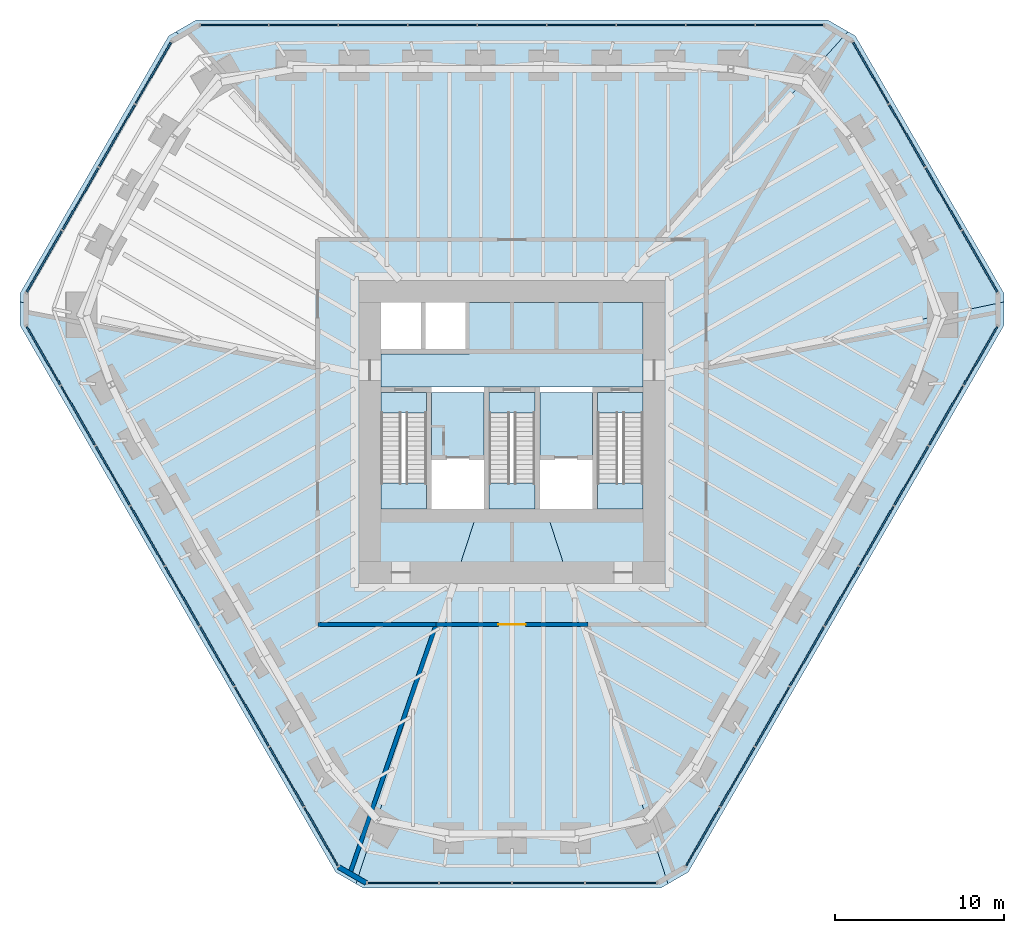
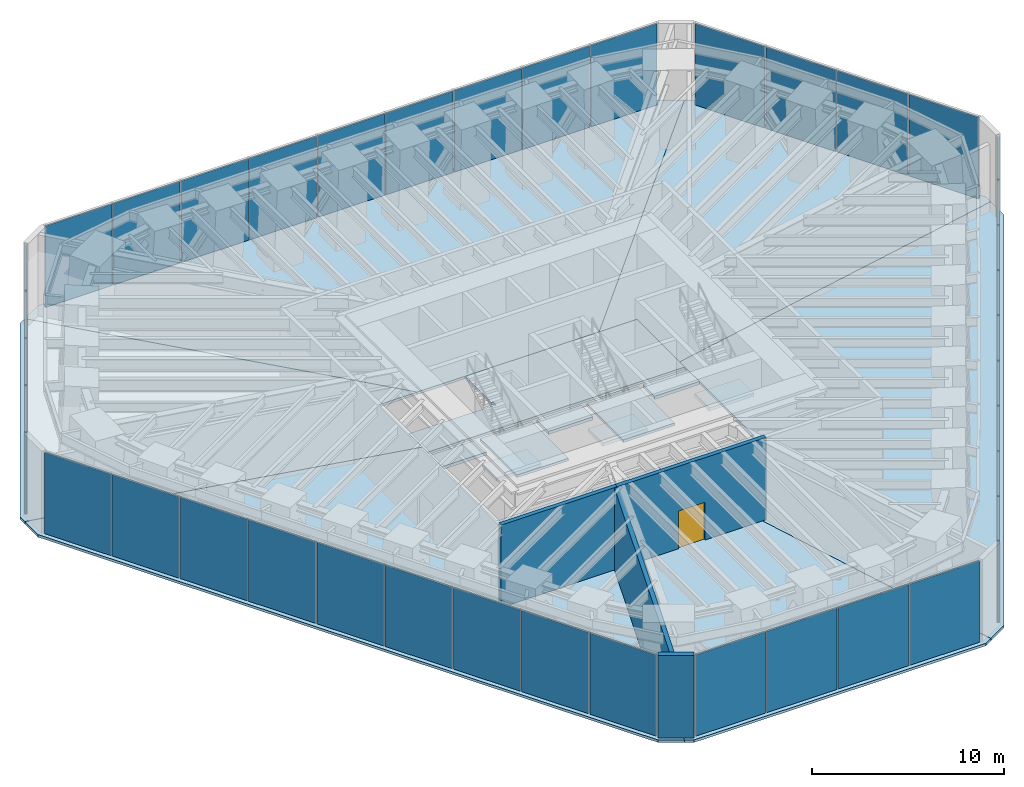
# One storey, part 9 of 12: 39 plates, 15 slabs, 4 walls, 1 door, 1 opening, 9 elements without a shape of their own.
"""IFC4 building model written with IfcOpenShell, lengths in metres."""

import ifcopenshell
import ifcopenshell.guid

model = None  # the IFC model being written
_history = None  # IfcOwnerHistory: only IFC2X3 demands one
_inside = {}  # id of a spatial element -> (the spatial element, [elements in it])
_under = {}  # id of a project, library or spatial element -> (it, [spatial elements below it])
_declared = {}  # id of a project -> (the project, [libraries it declares])
_typed = {}  # id of a type object -> (the type object, [elements of that type])
_made_of = {}  # id of a material, layer set ... -> (it, [elements and type objects made of it])


def new_model(schema):
    """Start an empty IFC model of exactly this schema.

    Asked for "IFC4X3", IfcOpenShell would pick the latest addendum, in which some entities
    have other attributes; the version numbers below select the first issue.
    IFC2X3 requires an IfcOwnerHistory on every rooted entity: one is made here for all.
    """
    global model, _history
    if schema == "IFC4X3":
        model = ifcopenshell.file(schema_version=(4, 3, 0, 0))
    else:
        model = ifcopenshell.file(schema=schema)
    _inside.clear()
    _under.clear()
    _declared.clear()
    _typed.clear()
    _made_of.clear()
    _history = None
    if model.schema == "IFC2X3":
        org = make("IfcOrganization", Name="unknown")
        user = make(
            "IfcPersonAndOrganization",
            ThePerson=make("IfcPerson", FamilyName="unknown"),
            TheOrganization=org,
        )
        app = make(
            "IfcApplication",
            ApplicationDeveloper=org,
            Version="unknown",
            ApplicationFullName="unknown",
            ApplicationIdentifier="unknown",
        )
        _history = make(
            "IfcOwnerHistory",
            OwningUser=user,
            OwningApplication=app,
            ChangeAction="ADDED",
            CreationDate=0,
        )
    return model


def make(cls, **values):
    """One entity of the class cls with the attributes given. An attribute that is None is left unset."""
    return model.create_entity(
        cls, **{name: value for name, value in values.items() if value is not None}
    )


def rooted(cls, **values):
    """An entity with a GlobalId (a new one), such as an element, a storey or a relation."""
    return make(cls, GlobalId=ifcopenshell.guid.new(), OwnerHistory=_history, **values)


def si_unit(unit_type, name, prefix=None):
    """IfcSIUnit, for example si_unit("LENGTHUNIT", "METRE", prefix="MILLI")."""
    return make("IfcSIUnit", UnitType=unit_type, Prefix=prefix, Name=name)


def assignment(units):
    """IfcUnitAssignment: the units of a project."""
    return None if units is None else make("IfcUnitAssignment", Units=units)


def point(xyz):
    """IfcCartesianPoint."""
    return None if xyz is None else make("IfcCartesianPoint", Coordinates=xyz)


def direction(xyz):
    """IfcDirection."""
    return None if xyz is None else make("IfcDirection", DirectionRatios=xyz)


def frame(location, z_axis=None, x_axis=None):
    """IfcAxis2Placement3D, a coordinate frame: its origin and axes. An axis left out is left unset."""
    return make(
        "IfcAxis2Placement3D",
        Location=point(location),
        Axis=direction(z_axis),
        RefDirection=direction(x_axis),
    )


def frame_2d(location, x_axis=None):
    """IfcAxis2Placement2D, a coordinate frame in the plane: its origin and x axis."""
    return make(
        "IfcAxis2Placement2D", Location=point(location), RefDirection=direction(x_axis)
    )


def origin():
    """The frame at (0, 0, 0) with its axes left unset."""
    return frame((0.0, 0.0, 0.0))


def origin_2d():
    """The frame at (0, 0) in the plane with its x axis left unset."""
    return frame_2d((0.0, 0.0))


def place(relative_to, where):
    """IfcLocalPlacement: puts the frame where relative to a parent placement (None: the world)."""
    return make(
        "IfcLocalPlacement", PlacementRelTo=relative_to, RelativePlacement=where
    )


def context(
    kind, dimensions, precision=None, world=None, true_north=None, identifier=None
):
    """IfcGeometricRepresentationContext, for example the 3D "Model" context."""
    return make(
        "IfcGeometricRepresentationContext",
        ContextIdentifier=identifier,
        ContextType=kind,
        CoordinateSpaceDimension=dimensions,
        Precision=precision,
        WorldCoordinateSystem=world,
        TrueNorth=true_north,
    )


def subcontext(parent, identifier, kind, view, scale=None):
    """IfcGeometricRepresentationSubContext, for example "Body" below "Model"."""
    return make(
        "IfcGeometricRepresentationSubContext",
        ContextIdentifier=identifier,
        ContextType=kind,
        ParentContext=parent,
        TargetScale=scale,
        TargetView=view,
    )


def project(units=None, contexts=None):
    """IfcProject with its units and contexts."""
    return rooted(
        "IfcProject",
        Name="project",
        RepresentationContexts=contexts,
        UnitsInContext=assignment(units),
    )


def spatial(cls, under=None, at=None, **own):
    """A site, building, storey or space (cls), placed at a placement, below another one or the project."""
    s = rooted(cls, ObjectPlacement=at, **own)
    if under is not None:
        _under.setdefault(under.id(), (under, []))[1].append(s)
    return s


def polyline(points):
    """IfcPolyline through the points."""
    return make("IfcPolyline", Points=[point(p) for p in points])


def profile(cls, at=None, kind="AREA", **sizes):
    """A parametric profile (cls). Its sizes go by their IFC names, for example OverallWidth=200.0."""
    return make(cls, ProfileType=kind, Position=at, **sizes)


def rectangle(**sizes):
    """IfcRectangleProfileDef."""
    return profile("IfcRectangleProfileDef", **sizes)


def outline(outer, holes=None, kind="AREA"):
    """IfcArbitraryClosedProfileDef: a profile drawn as a closed curve; with holes, ...WithVoids."""
    if holes is None:
        return make("IfcArbitraryClosedProfileDef", ProfileType=kind, OuterCurve=outer)
    return make(
        "IfcArbitraryProfileDefWithVoids",
        ProfileType=kind,
        OuterCurve=outer,
        InnerCurves=holes,
    )


def extrude(swept, where, along, depth):
    """IfcExtrudedAreaSolid: the profile swept, set in the frame where, extruded along a direction by depth."""
    return make(
        "IfcExtrudedAreaSolid",
        SweptArea=swept,
        Position=where,
        ExtrudedDirection=direction(along),
        Depth=depth,
    )


def shape(context_of_items, identifier, shape_type, items):
    """IfcShapeRepresentation: the items that make up one representation, for example the "Body"."""
    return make(
        "IfcShapeRepresentation",
        ContextOfItems=context_of_items,
        RepresentationIdentifier=identifier,
        RepresentationType=shape_type,
        Items=items,
    )


def material(Name=None, Category=None):
    """IfcMaterial."""
    return make("IfcMaterial", Name=Name, Category=Category)


def layer(
    of_material, thickness, ventilated=None, Name=None, Category=None, Priority=None
):
    """IfcMaterialLayer: one layer of a wall or slab, of a material (None: an air gap)."""
    return make(
        "IfcMaterialLayer",
        Material=of_material,
        LayerThickness=thickness,
        IsVentilated=ventilated,
        Name=Name,
        Category=Category,
        Priority=Priority,
    )


def layer_set(layers, Name=None):
    """IfcMaterialLayerSet."""
    return make("IfcMaterialLayerSet", MaterialLayers=layers, LayerSetName=Name)


def made_of(thing, what):
    """Note that an element or type object is made of a material, layer set ...; save() writes the relation."""
    if what is not None:
        _made_of.setdefault(what.id(), (what, []))[1].append(thing)
    return thing


def type_object(cls, material=None, **own):
    """A type object (cls), such as IfcWallType, which elements share."""
    return made_of(rooted(cls, **own), material)


def element(
    cls,
    number,
    at=None,
    inside=None,
    cuts=None,
    type_object=None,
    material=None,
    context=None,
    identifier="Body",
    shape_type=None,
    held_by="IfcProductDefinitionShape",
    body=None,
    shapes=None,
    **own,
):
    """One element of the class cls, such as IfcWall. Its Tag is "e" and its number.

    at: its placement. inside: the storey or other place that contains it. cuts: it is an
    opening in that element (IfcRelVoidsElement). A single representation is given by context,
    identifier, shape_type and body (its items); several are given by shapes. held_by: the class
    of the entity that holds the representations. save() writes the other relations.
    """
    e = rooted(cls, Tag="e%d" % number, ObjectPlacement=at, **own)
    if body is not None:
        shapes = [shape(context, identifier, shape_type, body)]
    if shapes is not None:
        e.Representation = make(held_by, Representations=shapes)
    if inside is not None:
        _inside.setdefault(inside.id(), (inside, []))[1].append(e)
    if cuts is not None:
        rooted(
            "IfcRelVoidsElement", RelatingBuildingElement=cuts, RelatedOpeningElement=e
        )
    if type_object is not None:
        _typed.setdefault(type_object.id(), (type_object, []))[1].append(e)
    return made_of(e, material)


def fill(opening, filler):
    """IfcRelFillsElement: the door or window that sits in an opening."""
    return rooted(
        "IfcRelFillsElement",
        RelatingOpeningElement=opening,
        RelatedBuildingElement=filler,
    )


def aggregate(whole, parts):
    """IfcRelAggregates: a whole, such as a stair, and the parts it consists of."""
    return rooted("IfcRelAggregates", RelatingObject=whole, RelatedObjects=parts)


def save(model, path):
    """Write the relations noted so far, then the file.

    IfcRelAggregates (storeys below a building ...), IfcRelContainedInSpatialStructure (elements
    in a storey), IfcRelDefinesByType, IfcRelAssociatesMaterial and IfcRelDeclares: one each for
    every whole, place, type object, material and project.
    """
    for whole, parts in _under.values():
        aggregate(whole, parts)
    for where, things in _inside.values():
        rooted(
            "IfcRelContainedInSpatialStructure",
            RelatedElements=things,
            RelatingStructure=where,
        )
    for kind, things in _typed.values():
        rooted("IfcRelDefinesByType", RelatedObjects=things, RelatingType=kind)
    for what, things in _made_of.values():
        rooted("IfcRelAssociatesMaterial", RelatedObjects=things, RelatingMaterial=what)
    for by, libraries in _declared.values():
        rooted("IfcRelDeclares", RelatingContext=by, RelatedDefinitions=libraries)
    model.write(path)


model = new_model("IFC4")

# Units and contexts
model_context = context("Model", 3, precision=1e-05, world=origin(), true_north=direction((0.0, 1.0)))
body_context = subcontext(model_context, "Body", "Model", "MODEL_VIEW")
ifc_project = project(units=[si_unit("LENGTHUNIT", "METRE"), si_unit("AREAUNIT", "SQUARE_METRE"), si_unit("VOLUMEUNIT", "CUBIC_METRE"), si_unit("PLANEANGLEUNIT", "RADIAN"), si_unit("MASSUNIT", "GRAM", prefix="KILO")], contexts=[model_context])

# Site, building, storey
site_placement = place(None, origin())
site = spatial("IfcSite", under=ifc_project, at=site_placement, CompositionType="ELEMENT")
building_placement = place(site_placement, origin())
building = spatial("IfcBuilding", under=site, at=building_placement, Name="Sandreach Pilgrim Tower", CompositionType="ELEMENT")
storey_placement = place(building_placement, frame((0.0, 0.0, 172.800048828125)))
storey = spatial("IfcBuildingStorey", under=building, at=storey_placement, Name="L43", CompositionType="ELEMENT", Elevation=172.800048828125)

# Curtain wall, plates
ifc_material_1 = material(Name="Aluminium framed curtain wall", Category="aluminium")
curtain_wall_type = type_object("IfcCurtainWallType", Name="Plant storey louvred curtain wall", PredefinedType="NOTDEFINED", material=ifc_material_1)
curtain_wall_1_placement = place(storey_placement, origin())
curtain_wall_1 = element("IfcCurtainWall", 1, at=curtain_wall_1_placement, inside=storey, type_object=curtain_wall_type, Name="CW-L L43 N", PredefinedType="NOTDEFINED")
ifc_material_2 = material(Name="Aluminium weather louvre blades 100 deep", Category="aluminium")
ifc_layer_1 = layer(ifc_material_2, 0.10009765625)
ifc_layer_set_1 = layer_set([ifc_layer_1], Name="CW-L panel")
plate_type = type_object("IfcPlateType", Name="CW-L panel", PredefinedType="CURTAIN_PANEL", material=ifc_layer_set_1)
plate_1_placement = place(storey_placement, frame((-16.407958984375, 22.493896484375, 0.0), z_axis=(0.0, 0.0, 1.0), x_axis=(1.0, 0.0, 0.0)))
plate_1 = element("IfcPlate", 2, at=plate_1_placement, type_object=plate_type, Name="CW-L panel 1", PredefinedType="CURTAIN_PANEL", context=body_context, shape_type="SweptSolid", body=[
    extrude(rectangle(XDim=3.987060546875, YDim=0.10009765625, at=origin_2d()), origin(), (0.0, 0.0, 1.0), 5.169921875),
])
plate_2_placement = place(storey_placement, frame((-12.32080078125, 22.493896484375, 0.0), z_axis=(0.0, 0.0, 1.0), x_axis=(1.0, 0.0, 0.0)))
plate_2 = element("IfcPlate", 3, at=plate_2_placement, type_object=plate_type, Name="CW-L panel 2", PredefinedType="CURTAIN_PANEL", context=body_context, shape_type="SweptSolid", body=[
    extrude(rectangle(XDim=4.02685546875, YDim=0.10009765625, at=origin_2d()), origin(), (0.0, 0.0, 1.0), 5.169921875),
])
plate_3_placement = place(storey_placement, frame((-8.2138671875, 22.493896484375, 0.0), z_axis=(0.0, 0.0, 1.0), x_axis=(1.0, 0.0, 0.0)))
plate_3 = element("IfcPlate", 4, at=plate_3_placement, type_object=plate_type, Name="CW-L panel 3", PredefinedType="CURTAIN_PANEL", context=body_context, shape_type="SweptSolid", body=[
    extrude(rectangle(XDim=4.02685546875, YDim=0.10009765625, at=origin_2d()), origin(), (0.0, 0.0, 1.0), 5.169921875),
])
plate_4_placement = place(storey_placement, frame((-4.10693359375, 22.493896484375, 0.0), z_axis=(0.0, 0.0, 1.0), x_axis=(1.0, 0.0, 0.0)))
plate_4 = element("IfcPlate", 5, at=plate_4_placement, type_object=plate_type, Name="CW-L panel 4", PredefinedType="CURTAIN_PANEL", context=body_context, shape_type="SweptSolid", body=[
    extrude(rectangle(XDim=4.02685546875, YDim=0.10009765625, at=origin_2d()), origin(), (0.0, 0.0, 1.0), 5.169921875),
])
plate_5_placement = place(storey_placement, frame((0.0, 22.493896484375, 0.0), z_axis=(0.0, 0.0, 1.0), x_axis=(1.0, 0.0, 0.0)))
plate_5 = element("IfcPlate", 6, at=plate_5_placement, type_object=plate_type, Name="CW-L panel 5", PredefinedType="CURTAIN_PANEL", context=body_context, shape_type="SweptSolid", body=[
    extrude(rectangle(XDim=4.02685546875, YDim=0.10009765625, at=origin_2d()), origin(), (0.0, 0.0, 1.0), 5.169921875),
])
plate_6_placement = place(storey_placement, frame((4.10693359375, 22.493896484375, 0.0), z_axis=(0.0, 0.0, 1.0), x_axis=(1.0, 0.0, 0.0)))
plate_6 = element("IfcPlate", 7, at=plate_6_placement, type_object=plate_type, Name="CW-L panel 6", PredefinedType="CURTAIN_PANEL", context=body_context, shape_type="SweptSolid", body=[
    extrude(rectangle(XDim=4.02685546875, YDim=0.10009765625, at=origin_2d()), origin(), (0.0, 0.0, 1.0), 5.169921875),
])
plate_7_placement = place(storey_placement, frame((8.2138671875, 22.493896484375, 0.0), z_axis=(0.0, 0.0, 1.0), x_axis=(1.0, 0.0, 0.0)))
plate_7 = element("IfcPlate", 8, at=plate_7_placement, type_object=plate_type, Name="CW-L panel 7", PredefinedType="CURTAIN_PANEL", context=body_context, shape_type="SweptSolid", body=[
    extrude(rectangle(XDim=4.02685546875, YDim=0.10009765625, at=origin_2d()), origin(), (0.0, 0.0, 1.0), 5.169921875),
])
plate_8_placement = place(storey_placement, frame((12.32080078125, 22.493896484375, 0.0), z_axis=(0.0, 0.0, 1.0), x_axis=(1.0, 0.0, 0.0)))
plate_8 = element("IfcPlate", 9, at=plate_8_placement, type_object=plate_type, Name="CW-L panel 8", PredefinedType="CURTAIN_PANEL", context=body_context, shape_type="SweptSolid", body=[
    extrude(rectangle(XDim=4.02685546875, YDim=0.10009765625, at=origin_2d()), origin(), (0.0, 0.0, 1.0), 5.169921875),
])
plate_9_placement = place(storey_placement, frame((16.407958984375, 22.493896484375, 0.0), z_axis=(0.0, 0.0, 1.0), x_axis=(1.0, 0.0, 0.0)))
plate_9 = element("IfcPlate", 10, at=plate_9_placement, type_object=plate_type, Name="CW-L panel 9", PredefinedType="CURTAIN_PANEL", context=body_context, shape_type="SweptSolid", body=[
    extrude(rectangle(XDim=3.987060546875, YDim=0.10009765625, at=origin_2d()), origin(), (0.0, 0.0, 1.0), 5.169921875),
])
aggregate(curtain_wall_1, [plate_1, plate_2, plate_3, plate_4, plate_5, plate_6, plate_7, plate_8, plate_9])

curtain_wall_2_placement = place(storey_placement, origin())
curtain_wall_2 = element("IfcCurtainWall", 11, at=curtain_wall_2_placement, inside=storey, type_object=curtain_wall_type, Name="CW-L L43 NE", PredefinedType="NOTDEFINED")
plate_10_placement = place(storey_placement, frame((21.196044921875, 19.672119140625, 0.0), z_axis=(0.0, 0.0, 1.0), x_axis=(0.5, -0.866025403784, 0.0)))
plate_10 = element("IfcPlate", 12, at=plate_10_placement, type_object=plate_type, Name="CW-L panel 1", PredefinedType="CURTAIN_PANEL", context=body_context, shape_type="SweptSolid", body=[
    extrude(rectangle(XDim=4.185791015625, YDim=0.10009765625, at=origin_2d()), origin(), (0.0, 0.0, 1.0), 5.169921875),
])
plate_11_placement = place(storey_placement, frame((23.3388671875, 15.96044921875, 0.0), z_axis=(0.0, 0.0, 1.0), x_axis=(0.5, -0.866025403784, 0.0)))
plate_11 = element("IfcPlate", 13, at=plate_11_placement, type_object=plate_type, Name="CW-L panel 2", PredefinedType="CURTAIN_PANEL", context=body_context, shape_type="SweptSolid", body=[
    extrude(rectangle(XDim=4.2255859375, YDim=0.10009765625, at=origin_2d()), origin(), (0.0, 0.0, 1.0), 5.169921875),
])
plate_12_placement = place(storey_placement, frame((25.49169921875, 12.231689453125, 0.0), z_axis=(0.0, 0.0, 1.0), x_axis=(0.5, -0.866025403784, 0.0)))
plate_12 = element("IfcPlate", 14, at=plate_12_placement, type_object=plate_type, Name="CW-L panel 3", PredefinedType="CURTAIN_PANEL", context=body_context, shape_type="SweptSolid", body=[
    extrude(rectangle(XDim=4.2255859375, YDim=0.10009765625, at=origin_2d()), origin(), (0.0, 0.0, 1.0), 5.169921875),
])
plate_13_placement = place(storey_placement, frame((27.634521484375, 8.520263671875, 0.0), z_axis=(0.0, 0.0, 1.0), x_axis=(0.5, -0.866025403784, 0.0)))
plate_13 = element("IfcPlate", 15, at=plate_13_placement, type_object=plate_type, Name="CW-L panel 4", PredefinedType="CURTAIN_PANEL", context=body_context, shape_type="SweptSolid", body=[
    extrude(rectangle(XDim=4.185791015625, YDim=0.10009765625, at=origin_2d()), origin(), (0.0, 0.0, 1.0), 5.169921875),
])
aggregate(curtain_wall_2, [plate_10, plate_11, plate_12, plate_13])

curtain_wall_3_placement = place(storey_placement, origin())
curtain_wall_3 = element("IfcCurtainWall", 16, at=curtain_wall_3_placement, inside=storey, type_object=curtain_wall_type, Name="CW-L L43 SE", PredefinedType="NOTDEFINED")
plate_14_placement = place(storey_placement, frame((27.68408203125, 2.962646484375, 0.0), z_axis=(0.0, 0.0, 1.0), x_axis=(-0.5, -0.866025403784, 0.0)))
plate_14 = element("IfcPlate", 17, at=plate_14_placement, type_object=plate_type, Name="CW-L panel 1", PredefinedType="CURTAIN_PANEL", context=body_context, shape_type="SweptSolid", body=[
    extrude(rectangle(XDim=3.987060546875, YDim=0.10009765625, at=origin_2d()), origin(), (0.0, 0.0, 1.0), 5.169921875),
])
plate_15_placement = place(storey_placement, frame((25.640625, -0.57666015625, 0.0), z_axis=(0.0, 0.0, 1.0), x_axis=(-0.5, -0.866025403784, 0.0)))
plate_15 = element("IfcPlate", 18, at=plate_15_placement, type_object=plate_type, Name="CW-L panel 2", PredefinedType="CURTAIN_PANEL", context=body_context, shape_type="SweptSolid", body=[
    extrude(rectangle(XDim=4.02685546875, YDim=0.10009765625, at=origin_2d()), origin(), (0.0, 0.0, 1.0), 5.169921875),
])
plate_16_placement = place(storey_placement, frame((23.587158203125, -4.13330078125, 0.0), z_axis=(0.0, 0.0, 1.0), x_axis=(-0.5, -0.866025403784, 0.0)))
plate_16 = element("IfcPlate", 19, at=plate_16_placement, type_object=plate_type, Name="CW-L panel 3", PredefinedType="CURTAIN_PANEL", context=body_context, shape_type="SweptSolid", body=[
    extrude(rectangle(XDim=4.02685546875, YDim=0.10009765625, at=origin_2d()), origin(), (0.0, 0.0, 1.0), 5.169921875),
])
plate_17_placement = place(storey_placement, frame((21.53369140625, -7.690185546875, 0.0), z_axis=(0.0, 0.0, 1.0), x_axis=(-0.5, -0.866025403784, 0.0)))
plate_17 = element("IfcPlate", 20, at=plate_17_placement, type_object=plate_type, Name="CW-L panel 4", PredefinedType="CURTAIN_PANEL", context=body_context, shape_type="SweptSolid", body=[
    extrude(rectangle(XDim=4.02685546875, YDim=0.10009765625, at=origin_2d()), origin(), (0.0, 0.0, 1.0), 5.169921875),
])
plate_18_placement = place(storey_placement, frame((19.480224609375, -11.246826171875, 0.0), z_axis=(0.0, 0.0, 1.0), x_axis=(-0.5, -0.866025403784, 0.0)))
plate_18 = element("IfcPlate", 21, at=plate_18_placement, type_object=plate_type, Name="CW-L panel 5", PredefinedType="CURTAIN_PANEL", context=body_context, shape_type="SweptSolid", body=[
    extrude(rectangle(XDim=4.02685546875, YDim=0.10009765625, at=origin_2d()), origin(), (0.0, 0.0, 1.0), 5.169921875),
])
plate_19_placement = place(storey_placement, frame((17.4267578125, -14.8037109375, 0.0), z_axis=(0.0, 0.0, 1.0), x_axis=(-0.5, -0.866025403784, 0.0)))
plate_19 = element("IfcPlate", 22, at=plate_19_placement, type_object=plate_type, Name="CW-L panel 6", PredefinedType="CURTAIN_PANEL", context=body_context, shape_type="SweptSolid", body=[
    extrude(rectangle(XDim=4.02685546875, YDim=0.10009765625, at=origin_2d()), origin(), (0.0, 0.0, 1.0), 5.169921875),
])
plate_20_placement = place(storey_placement, frame((15.373291015625, -18.3603515625, 0.0), z_axis=(0.0, 0.0, 1.0), x_axis=(-0.5, -0.866025403784, 0.0)))
plate_20 = element("IfcPlate", 23, at=plate_20_placement, type_object=plate_type, Name="CW-L panel 7", PredefinedType="CURTAIN_PANEL", context=body_context, shape_type="SweptSolid", body=[
    extrude(rectangle(XDim=4.02685546875, YDim=0.10009765625, at=origin_2d()), origin(), (0.0, 0.0, 1.0), 5.169921875),
])
plate_21_placement = place(storey_placement, frame((13.31982421875, -21.917236328125, 0.0), z_axis=(0.0, 0.0, 1.0), x_axis=(-0.5, -0.866025403784, 0.0)))
plate_21 = element("IfcPlate", 24, at=plate_21_placement, type_object=plate_type, Name="CW-L panel 8", PredefinedType="CURTAIN_PANEL", context=body_context, shape_type="SweptSolid", body=[
    extrude(rectangle(XDim=4.02685546875, YDim=0.10009765625, at=origin_2d()), origin(), (0.0, 0.0, 1.0), 5.169921875),
])
plate_22_placement = place(storey_placement, frame((11.2763671875, -25.45654296875, 0.0), z_axis=(0.0, 0.0, 1.0), x_axis=(-0.5, -0.866025403784, 0.0)))
plate_22 = element("IfcPlate", 25, at=plate_22_placement, type_object=plate_type, Name="CW-L panel 9", PredefinedType="CURTAIN_PANEL", context=body_context, shape_type="SweptSolid", body=[
    extrude(rectangle(XDim=3.987060546875, YDim=0.10009765625, at=origin_2d()), origin(), (0.0, 0.0, 1.0), 5.169921875),
])
aggregate(curtain_wall_3, [plate_14, plate_15, plate_16, plate_17, plate_18, plate_19, plate_20, plate_21, plate_22])

curtain_wall_4_placement = place(storey_placement, origin())
curtain_wall_4 = element("IfcCurtainWall", 26, at=curtain_wall_4_placement, inside=storey, type_object=curtain_wall_type, Name="CW-L L43 S", PredefinedType="NOTDEFINED")
plate_23_placement = place(storey_placement, frame((6.4384765625, -28.192138671875, 0.0), z_axis=(0.0, 0.0, 1.0), x_axis=(-1.0, 0.0, 0.0)))
plate_23 = element("IfcPlate", 27, at=plate_23_placement, type_object=plate_type, Name="CW-L panel 1", PredefinedType="CURTAIN_PANEL", context=body_context, shape_type="SweptSolid", body=[
    extrude(rectangle(XDim=4.185791015625, YDim=0.10009765625, at=origin_2d()), origin(), (0.0, 0.0, 1.0), 5.169921875),
])
plate_24_placement = place(storey_placement, frame((2.15283203125, -28.192138671875, 0.0), z_axis=(0.0, 0.0, 1.0), x_axis=(-1.0, 0.0, 0.0)))
plate_24 = element("IfcPlate", 28, at=plate_24_placement, type_object=plate_type, Name="CW-L panel 2", PredefinedType="CURTAIN_PANEL", context=body_context, shape_type="SweptSolid", body=[
    extrude(rectangle(XDim=4.2255859375, YDim=0.10009765625, at=origin_2d()), origin(), (0.0, 0.0, 1.0), 5.169921875),
])
plate_25_placement = place(storey_placement, frame((-2.15283203125, -28.192138671875, 0.0), z_axis=(0.0, 0.0, 1.0), x_axis=(-1.0, 0.0, 0.0)))
plate_25 = element("IfcPlate", 29, at=plate_25_placement, type_object=plate_type, Name="CW-L panel 3", PredefinedType="CURTAIN_PANEL", context=body_context, shape_type="SweptSolid", body=[
    extrude(rectangle(XDim=4.2255859375, YDim=0.10009765625, at=origin_2d()), origin(), (0.0, 0.0, 1.0), 5.169921875),
])
plate_26_placement = place(storey_placement, frame((-6.4384765625, -28.192138671875, 0.0), z_axis=(0.0, 0.0, 1.0), x_axis=(-1.0, 0.0, 0.0)))
plate_26 = element("IfcPlate", 30, at=plate_26_placement, type_object=plate_type, Name="CW-L panel 4", PredefinedType="CURTAIN_PANEL", context=body_context, shape_type="SweptSolid", body=[
    extrude(rectangle(XDim=4.185791015625, YDim=0.10009765625, at=origin_2d()), origin(), (0.0, 0.0, 1.0), 5.169921875),
])
aggregate(curtain_wall_4, [plate_23, plate_24, plate_25, plate_26])

curtain_wall_5_placement = place(storey_placement, origin())
curtain_wall_5 = element("IfcCurtainWall", 31, at=curtain_wall_5_placement, inside=storey, type_object=curtain_wall_type, Name="CW-L L43 SW", PredefinedType="NOTDEFINED")
plate_27_placement = place(storey_placement, frame((-11.2763671875, -25.45654296875, 0.0), z_axis=(0.0, 0.0, 1.0), x_axis=(-0.5, 0.866025403784, 0.0)))
plate_27 = element("IfcPlate", 32, at=plate_27_placement, type_object=plate_type, Name="CW-L panel 1", PredefinedType="CURTAIN_PANEL", context=body_context, shape_type="SweptSolid", body=[
    extrude(rectangle(XDim=3.987060546875, YDim=0.10009765625, at=origin_2d()), origin(), (0.0, 0.0, 1.0), 5.169921875),
])
plate_28_placement = place(storey_placement, frame((-13.31982421875, -21.917236328125, 0.0), z_axis=(0.0, 0.0, 1.0), x_axis=(-0.5, 0.866025403784, 0.0)))
plate_28 = element("IfcPlate", 33, at=plate_28_placement, type_object=plate_type, Name="CW-L panel 2", PredefinedType="CURTAIN_PANEL", context=body_context, shape_type="SweptSolid", body=[
    extrude(rectangle(XDim=4.02685546875, YDim=0.10009765625, at=origin_2d()), origin(), (0.0, 0.0, 1.0), 5.169921875),
])
plate_29_placement = place(storey_placement, frame((-15.373291015625, -18.3603515625, 0.0), z_axis=(0.0, 0.0, 1.0), x_axis=(-0.5, 0.866025403784, 0.0)))
plate_29 = element("IfcPlate", 34, at=plate_29_placement, type_object=plate_type, Name="CW-L panel 3", PredefinedType="CURTAIN_PANEL", context=body_context, shape_type="SweptSolid", body=[
    extrude(rectangle(XDim=4.02685546875, YDim=0.10009765625, at=origin_2d()), origin(), (0.0, 0.0, 1.0), 5.169921875),
])
plate_30_placement = place(storey_placement, frame((-17.4267578125, -14.8037109375, 0.0), z_axis=(0.0, 0.0, 1.0), x_axis=(-0.5, 0.866025403784, 0.0)))
plate_30 = element("IfcPlate", 35, at=plate_30_placement, type_object=plate_type, Name="CW-L panel 4", PredefinedType="CURTAIN_PANEL", context=body_context, shape_type="SweptSolid", body=[
    extrude(rectangle(XDim=4.02685546875, YDim=0.10009765625, at=origin_2d()), origin(), (0.0, 0.0, 1.0), 5.169921875),
])
plate_31_placement = place(storey_placement, frame((-19.480224609375, -11.246826171875, 0.0), z_axis=(0.0, 0.0, 1.0), x_axis=(-0.5, 0.866025403784, 0.0)))
plate_31 = element("IfcPlate", 36, at=plate_31_placement, type_object=plate_type, Name="CW-L panel 5", PredefinedType="CURTAIN_PANEL", context=body_context, shape_type="SweptSolid", body=[
    extrude(rectangle(XDim=4.02685546875, YDim=0.10009765625, at=origin_2d()), origin(), (0.0, 0.0, 1.0), 5.169921875),
])
plate_32_placement = place(storey_placement, frame((-21.53369140625, -7.690185546875, 0.0), z_axis=(0.0, 0.0, 1.0), x_axis=(-0.5, 0.866025403784, 0.0)))
plate_32 = element("IfcPlate", 37, at=plate_32_placement, type_object=plate_type, Name="CW-L panel 6", PredefinedType="CURTAIN_PANEL", context=body_context, shape_type="SweptSolid", body=[
    extrude(rectangle(XDim=4.02685546875, YDim=0.10009765625, at=origin_2d()), origin(), (0.0, 0.0, 1.0), 5.169921875),
])
plate_33_placement = place(storey_placement, frame((-23.587158203125, -4.13330078125, 0.0), z_axis=(0.0, 0.0, 1.0), x_axis=(-0.5, 0.866025403784, 0.0)))
plate_33 = element("IfcPlate", 38, at=plate_33_placement, type_object=plate_type, Name="CW-L panel 7", PredefinedType="CURTAIN_PANEL", context=body_context, shape_type="SweptSolid", body=[
    extrude(rectangle(XDim=4.02685546875, YDim=0.10009765625, at=origin_2d()), origin(), (0.0, 0.0, 1.0), 5.169921875),
])
plate_34_placement = place(storey_placement, frame((-25.640625, -0.57666015625, 0.0), z_axis=(0.0, 0.0, 1.0), x_axis=(-0.5, 0.866025403784, 0.0)))
plate_34 = element("IfcPlate", 39, at=plate_34_placement, type_object=plate_type, Name="CW-L panel 8", PredefinedType="CURTAIN_PANEL", context=body_context, shape_type="SweptSolid", body=[
    extrude(rectangle(XDim=4.02685546875, YDim=0.10009765625, at=origin_2d()), origin(), (0.0, 0.0, 1.0), 5.169921875),
])
plate_35_placement = place(storey_placement, frame((-27.68408203125, 2.962646484375, 0.0), z_axis=(0.0, 0.0, 1.0), x_axis=(-0.5, 0.866025403784, 0.0)))
plate_35 = element("IfcPlate", 40, at=plate_35_placement, type_object=plate_type, Name="CW-L panel 9", PredefinedType="CURTAIN_PANEL", context=body_context, shape_type="SweptSolid", body=[
    extrude(rectangle(XDim=3.987060546875, YDim=0.10009765625, at=origin_2d()), origin(), (0.0, 0.0, 1.0), 5.169921875),
])
aggregate(curtain_wall_5, [plate_27, plate_28, plate_29, plate_30, plate_31, plate_32, plate_33, plate_34, plate_35])

curtain_wall_6_placement = place(storey_placement, origin())
curtain_wall_6 = element("IfcCurtainWall", 41, at=curtain_wall_6_placement, inside=storey, type_object=curtain_wall_type, Name="CW-L L43 NW", PredefinedType="NOTDEFINED")
plate_36_placement = place(storey_placement, frame((-27.634521484375, 8.520263671875, 0.0), z_axis=(0.0, 0.0, 1.0), x_axis=(0.5, 0.866025403784, 0.0)))
plate_36 = element("IfcPlate", 42, at=plate_36_placement, type_object=plate_type, Name="CW-L panel 1", PredefinedType="CURTAIN_PANEL", context=body_context, shape_type="SweptSolid", body=[
    extrude(rectangle(XDim=4.185791015625, YDim=0.10009765625, at=origin_2d()), origin(), (0.0, 0.0, 1.0), 5.169921875),
])
plate_37_placement = place(storey_placement, frame((-25.49169921875, 12.231689453125, 0.0), z_axis=(0.0, 0.0, 1.0), x_axis=(0.5, 0.866025403784, 0.0)))
plate_37 = element("IfcPlate", 43, at=plate_37_placement, type_object=plate_type, Name="CW-L panel 2", PredefinedType="CURTAIN_PANEL", context=body_context, shape_type="SweptSolid", body=[
    extrude(rectangle(XDim=4.2255859375, YDim=0.10009765625, at=origin_2d()), origin(), (0.0, 0.0, 1.0), 5.169921875),
])
plate_38_placement = place(storey_placement, frame((-23.3388671875, 15.96044921875, 0.0), z_axis=(0.0, 0.0, 1.0), x_axis=(0.5, 0.866025403784, 0.0)))
plate_38 = element("IfcPlate", 44, at=plate_38_placement, type_object=plate_type, Name="CW-L panel 3", PredefinedType="CURTAIN_PANEL", context=body_context, shape_type="SweptSolid", body=[
    extrude(rectangle(XDim=4.2255859375, YDim=0.10009765625, at=origin_2d()), origin(), (0.0, 0.0, 1.0), 5.169921875),
])
plate_39_placement = place(storey_placement, frame((-21.196044921875, 19.672119140625, 0.0), z_axis=(0.0, 0.0, 1.0), x_axis=(0.5, 0.866025403784, 0.0)))
plate_39 = element("IfcPlate", 45, at=plate_39_placement, type_object=plate_type, Name="CW-L panel 4", PredefinedType="CURTAIN_PANEL", context=body_context, shape_type="SweptSolid", body=[
    extrude(rectangle(XDim=4.185791015625, YDim=0.10009765625, at=origin_2d()), origin(), (0.0, 0.0, 1.0), 5.169921875),
])
aggregate(curtain_wall_6, [plate_36, plate_37, plate_38, plate_39])

# Slabs
ifc_material_3 = material(Name="Concrete 8000 psi", Category="concrete")
ifc_layer_2 = layer(ifc_material_3, 0.159912109375)
ifc_layer_set_2 = layer_set([ifc_layer_2], Name="Composite floor slab 160")
slab_type_1 = type_object("IfcSlabType", Name="Composite floor slab 160", PredefinedType="FLOOR", material=ifc_layer_set_2)
slab_1_placement = place(storey_placement, frame((0.0, 0.0, -0.16015625)))
element("IfcSlab", 46, at=slab_1_placement, inside=storey, type_object=slab_type_1, Name="Floor slab L43 N sector", PredefinedType="FLOOR", context=body_context, shape_type="SweptSolid", body=[
    extrude(outline(polyline([(-18.654541015625, 22.793701171875), (18.654541015625, 22.793701171875), (19.848388671875, 22.1044921875), (5.477294921875, 6.10009765625), (-5.477294921875, 6.10009765625), (-19.848388671875, 22.1044921875), (-18.654541015625, 22.793701171875)])), origin(), (0.0, 0.0, 1.0), 0.16015625),
])
slab_2_placement = place(storey_placement, frame((0.0, 0.0, -0.16015625)))
element("IfcSlab", 47, at=slab_2_placement, inside=storey, type_object=slab_type_1, Name="Floor slab L43 NE sector", PredefinedType="FLOOR", context=body_context, shape_type="SweptSolid", body=[
    extrude(outline(polyline([(20.28271484375, 21.853759765625), (29.0673828125, 6.638427734375), (29.0673828125, 6.13720703125), (7.75, 1.63623046875), (7.75, 6.10009765625), (5.477294921875, 6.10009765625), (19.848388671875, 22.1044921875), (20.28271484375, 21.853759765625)])), origin(), (0.0, 0.0, 1.0), 0.16015625),
])
slab_3_placement = place(storey_placement, frame((0.0, 0.0, -0.16015625)))
element("IfcSlab", 48, at=slab_3_placement, inside=storey, type_object=slab_type_1, Name="Floor slab L43 SE sector", PredefinedType="FLOOR", context=body_context, shape_type="SweptSolid", body=[
    extrude(outline(polyline([(29.0673828125, 4.75830078125), (10.41259765625, -27.55224609375), (9.21875, -28.241455078125), (1.9912109375, -6.10009765625), (7.75, -6.10009765625), (7.75, 1.63623046875), (29.0673828125, 6.13720703125), (29.0673828125, 4.75830078125)])), origin(), (0.0, 0.0, 1.0), 0.16015625),
])
slab_4_placement = place(storey_placement, frame((0.0, 0.0, -0.16015625)))
element("IfcSlab", 49, at=slab_4_placement, inside=storey, type_object=slab_type_1, Name="Floor slab L43 S sector", PredefinedType="FLOOR", context=body_context, shape_type="SweptSolid", body=[
    extrude(outline(polyline([(8.78466796875, -28.4921875), (-8.78466796875, -28.4921875), (-9.21875, -28.241455078125), (-1.9912109375, -6.10009765625), (1.9912109375, -6.10009765625), (9.21875, -28.241455078125), (8.78466796875, -28.4921875)])), origin(), (0.0, 0.0, 1.0), 0.16015625),
])
slab_5_placement = place(storey_placement, frame((0.0, 0.0, -0.16015625)))
element("IfcSlab", 50, at=slab_5_placement, inside=storey, type_object=slab_type_1, Name="Floor slab L43 SW sector", PredefinedType="FLOOR", context=body_context, shape_type="SweptSolid", body=[
    extrude(outline(polyline([(-10.41259765625, -27.55224609375), (-29.0673828125, 4.75830078125), (-29.0673828125, 6.13720703125), (-7.75, 1.63623046875), (-7.75, -6.10009765625), (-1.9912109375, -6.10009765625), (-9.21875, -28.241455078125), (-10.41259765625, -27.55224609375)])), origin(), (0.0, 0.0, 1.0), 0.16015625),
])
slab_6_placement = place(storey_placement, frame((0.0, 0.0, -0.16015625)))
element("IfcSlab", 51, at=slab_6_placement, inside=storey, type_object=slab_type_1, Name="Floor slab L43 NW sector", PredefinedType="FLOOR", context=body_context, shape_type="SweptSolid", body=[
    extrude(outline(polyline([(-29.0673828125, 6.638427734375), (-20.28271484375, 21.853759765625), (-19.848388671875, 22.1044921875), (-5.477294921875, 6.10009765625), (-7.75, 6.10009765625), (-7.75, 1.63623046875), (-29.0673828125, 6.13720703125), (-29.0673828125, 6.638427734375)])), origin(), (0.0, 0.0, 1.0), 0.16015625),
])
slab_7_placement = place(storey_placement, frame((0.0, 0.0, -0.16015625)))
element("IfcSlab", 52, at=slab_7_placement, inside=storey, type_object=slab_type_1, Name="Core floor slab L43", PredefinedType="FLOOR", context=body_context, shape_type="SweptSolid", body=[
    extrude(outline(polyline([(-7.75, 3.050048828125), (-5.375, 3.050048828125), (-5.125, 3.050048828125), (-2.5, 3.050048828125), (-2.5, 3.35009765625), (-2.60009765625, 3.35009765625), (-2.60009765625, 6.10009765625), (7.75, 6.10009765625), (7.75, 1.10009765625), (5.050048828125, 1.10009765625), (4.75, 1.10009765625), (1.64990234375, 1.10009765625), (1.35009765625, 1.10009765625), (-1.35009765625, 1.10009765625), (-1.64990234375, 1.10009765625), (-4.75, 1.10009765625), (-5.050048828125, 1.10009765625), (-7.75, 1.10009765625), (-7.75, 3.050048828125)])), origin(), (0.0, 0.0, 1.0), 0.16015625),
])
slab_8_placement = place(storey_placement, frame((0.0, 0.0, -0.16015625)))
element("IfcSlab", 53, at=slab_8_placement, inside=storey, type_object=slab_type_1, Name="Core floor slab L43 2", PredefinedType="FLOOR", context=body_context, shape_type="SweptSolid", body=[
    extrude(outline(polyline([(-1.64990234375, -3.050048828125), (-4.75, -3.050048828125), (-4.75, 0.800048828125), (-1.64990234375, 0.800048828125), (-1.64990234375, -3.050048828125)])), origin(), (0.0, 0.0, 1.0), 0.16015625),
])
slab_9_placement = place(storey_placement, frame((0.0, 0.0, -0.16015625)))
element("IfcSlab", 54, at=slab_9_placement, inside=storey, type_object=slab_type_1, Name="Core floor slab L43 3", PredefinedType="FLOOR", context=body_context, shape_type="SweptSolid", body=[
    extrude(outline(polyline([(4.75, -3.050048828125), (1.64990234375, -3.050048828125), (1.64990234375, 0.800048828125), (4.75, 0.800048828125), (4.75, -3.050048828125)])), origin(), (0.0, 0.0, 1.0), 0.16015625),
])

# Stair, slabs
ifc_material_4 = material(Name="Concrete 8000 psi", Category="concrete")
stair_type = type_object("IfcStairType", Name="Core exit stair", PredefinedType="HALF_TURN_STAIR", material=ifc_material_4)
stair_1_placement = place(storey_placement, origin())
stair_1 = element("IfcStair", 55, at=stair_1_placement, inside=storey, type_object=stair_type, Name="Exit stair ST1 L43", PredefinedType="HALF_TURN_STAIR")
ifc_material_5 = material(Name="Concrete 8000 psi", Category="concrete")
ifc_layer_3 = layer(ifc_material_5, 0.199951171875)
ifc_layer_set_3 = layer_set([ifc_layer_3], Name="Core stair landing 200")
slab_type_2 = type_object("IfcSlabType", Name="Core stair landing 200", PredefinedType="LANDING", material=ifc_layer_set_3)
slab_10_placement = place(storey_placement, frame((0.0, 0.0, -0.199951171875)))
slab_10 = element("IfcSlab", 56, at=slab_10_placement, type_object=slab_type_2, Name="ST1 landing 1", PredefinedType="LANDING", context=body_context, shape_type="SweptSolid", body=[
    extrude(outline(polyline([(-7.75, -0.425048828125), (-5.050048828125, -0.425048828125), (-5.050048828125, 0.800048828125), (-7.75, 0.800048828125), (-7.75, -0.425048828125)])), origin(), (0.0, 0.0, 1.0), 0.199951171875),
])
slab_11_placement = place(storey_placement, frame((0.0, 0.0, 2.5)))
slab_11 = element("IfcSlab", 57, at=slab_11_placement, type_object=slab_type_2, Name="ST1 landing 2", PredefinedType="LANDING", context=body_context, shape_type="SweptSolid", body=[
    extrude(outline(polyline([(-7.75, -6.10009765625), (-5.050048828125, -6.10009765625), (-5.050048828125, -4.574951171875), (-7.75, -4.574951171875), (-7.75, -6.10009765625)])), origin(), (0.0, 0.0, 1.0), 0.199951171875),
])
aggregate(stair_1, [slab_10, slab_11])

stair_2_placement = place(storey_placement, origin())
stair_2 = element("IfcStair", 58, at=stair_2_placement, inside=storey, type_object=stair_type, Name="Exit stair ST3 L43", PredefinedType="HALF_TURN_STAIR")
slab_12_placement = place(storey_placement, frame((0.0, 0.0, -0.199951171875)))
slab_12 = element("IfcSlab", 59, at=slab_12_placement, type_object=slab_type_2, Name="ST3 landing 1", PredefinedType="LANDING", context=body_context, shape_type="SweptSolid", body=[
    extrude(outline(polyline([(-1.35009765625, -0.425048828125), (1.35009765625, -0.425048828125), (1.35009765625, 0.800048828125), (-1.35009765625, 0.800048828125), (-1.35009765625, -0.425048828125)])), origin(), (0.0, 0.0, 1.0), 0.199951171875),
])
slab_13_placement = place(storey_placement, frame((0.0, 0.0, 2.5)))
slab_13 = element("IfcSlab", 60, at=slab_13_placement, type_object=slab_type_2, Name="ST3 landing 2", PredefinedType="LANDING", context=body_context, shape_type="SweptSolid", body=[
    extrude(outline(polyline([(-1.35009765625, -6.10009765625), (1.35009765625, -6.10009765625), (1.35009765625, -4.574951171875), (-1.35009765625, -4.574951171875), (-1.35009765625, -6.10009765625)])), origin(), (0.0, 0.0, 1.0), 0.199951171875),
])
aggregate(stair_2, [slab_12, slab_13])

stair_3_placement = place(storey_placement, origin())
stair_3 = element("IfcStair", 61, at=stair_3_placement, inside=storey, type_object=stair_type, Name="Exit stair ST2 L43", PredefinedType="HALF_TURN_STAIR")
slab_14_placement = place(storey_placement, frame((0.0, 0.0, -0.199951171875)))
slab_14 = element("IfcSlab", 62, at=slab_14_placement, type_object=slab_type_2, Name="ST2 landing 1", PredefinedType="LANDING", context=body_context, shape_type="SweptSolid", body=[
    extrude(outline(polyline([(5.050048828125, -0.425048828125), (7.75, -0.425048828125), (7.75, 0.800048828125), (5.050048828125, 0.800048828125), (5.050048828125, -0.425048828125)])), origin(), (0.0, 0.0, 1.0), 0.199951171875),
])
slab_15_placement = place(storey_placement, frame((0.0, 0.0, 2.5)))
slab_15 = element("IfcSlab", 63, at=slab_15_placement, type_object=slab_type_2, Name="ST2 landing 2", PredefinedType="LANDING", context=body_context, shape_type="SweptSolid", body=[
    extrude(outline(polyline([(5.050048828125, -6.10009765625), (7.75, -6.10009765625), (7.75, -4.574951171875), (5.050048828125, -4.574951171875), (5.050048828125, -6.10009765625)])), origin(), (0.0, 0.0, 1.0), 0.199951171875),
])
aggregate(stair_3, [slab_14, slab_15])

# Walls
ifc_material_6 = material(Name="Acoustic gypsum board wall, double frame", Category="gypsum")
ifc_layer_4 = layer(ifc_material_6, 0.25)
ifc_layer_set_4 = layer_set([ifc_layer_4], Name="Hall partition 250")
wall_type_1 = type_object("IfcWallType", Name="Hall partition 250", PredefinedType="PARTITIONING", material=ifc_layer_set_4)
wall_1_placement = place(storey_placement, frame((-11.469970703125, -12.919921875, 0.0), z_axis=(0.0, 0.0, 1.0), x_axis=(1.0, 0.0, 0.0)))
element("IfcWall", 64, at=wall_1_placement, inside=storey, type_object=wall_type_1, Name="Hall partition L43-002", PredefinedType="PARTITIONING", context=body_context, shape_type="SweptSolid", body=[
    extrude(rectangle(XDim=6.989990234375, YDim=0.25, at=frame_2d((3.4951171875, 0.0))), origin(), (0.0, 0.0, 1.0), 5.239990234375),
])
wall_2_placement = place(storey_placement, frame((-9.580078125, -27.651611328125, 0.0), z_axis=(0.0, 0.0, 1.0), x_axis=(0.327148752999, 0.944972853267, 0.0)))
element("IfcWall", 65, at=wall_2_placement, inside=storey, type_object=wall_type_1, Name="Hall partition L43-005", PredefinedType="PARTITIONING", context=body_context, shape_type="SweptSolid", body=[
    extrude(rectangle(XDim=15.589599609375, YDim=0.25, at=frame_2d((7.794921875, 0.0))), origin(), (0.0, 0.0, 1.0), 5.199951171875),
])

# Wall, opening, door
wall_3_placement = place(storey_placement, frame((-4.47998046875, -12.919921875, 0.0), z_axis=(0.0, 0.0, 1.0), x_axis=(1.0, 0.0, 0.0)))
wall_3 = element("IfcWall", 66, at=wall_3_placement, inside=storey, type_object=wall_type_1, Name="Hall partition L43-008", PredefinedType="PARTITIONING", context=body_context, shape_type="SweptSolid", body=[
    extrude(rectangle(XDim=8.9599609375, YDim=0.25, at=frame_2d((4.47998046875, 0.0))), origin(), (0.0, 0.0, 1.0), 5.239990234375),
])
opening_placement = place(wall_3_placement, frame((3.679931640625, 0.0, 0.0)))
opening = element("IfcOpeningElement", 67, at=opening_placement, cuts=wall_3, Name="Opening D16-04", PredefinedType="OPENING", context=body_context, shape_type="SweptSolid", body=[
    extrude(rectangle(XDim=1.60009765625, YDim=2.39990234375, at=frame_2d((0.800048828125, 1.199951171875))), frame((0.0, 0.125, 0.0), z_axis=(0.0, -1.0, 0.0), x_axis=(1.0, 0.0, 0.0)), (0.0, 0.0, 1.0), 0.25),
])
ifc_material_7 = material(Name="Steel door and frame", Category="steel")
door_type = type_object("IfcDoorType", Name="Hall double door", OperationType="DOUBLE_DOOR_SINGLE_SWING", PredefinedType="DOOR", material=ifc_material_7)
door_placement = place(opening_placement, origin())
door = element("IfcDoor", 68, at=door_placement, inside=storey, type_object=door_type, Name="Door 4304", OperationType="DOUBLE_DOOR_SINGLE_SWING", OverallHeight=2.39990234375, OverallWidth=1.60009765625, PredefinedType="DOOR", context=body_context, shape_type="SweptSolid", body=[
    extrude(rectangle(XDim=1.60009765625, YDim=2.39990234375, at=frame_2d((0.800048828125, 1.199951171875))), frame((0.0, 0.02490234375, 0.0), z_axis=(0.0, -1.0, 0.0), x_axis=(1.0, 0.0, 0.0)), (0.0, 0.0, 1.0), 0.050048828125),
])
fill(opening, door)

# Wall
ifc_material_8 = material(Name="Terracotta rainscreen on concrete", Category="masonry")
ifc_layer_5 = layer(ifc_material_8, 0.300048828125)
ifc_layer_set_5 = layer_set([ifc_layer_5], Name="Terracotta chamfer pier")
wall_type_2 = type_object("IfcWallType", Name="Terracotta chamfer pier", PredefinedType="SOLIDWALL", material=ifc_layer_set_5)
wall_4_placement = place(storey_placement, frame((-8.611328125, -28.192138671875, 0.0), z_axis=(0.0, 0.0, 1.0), x_axis=(-0.866045024864, 0.499966013754, 0.0)))
element("IfcWall", 69, at=wall_4_placement, inside=storey, type_object=wall_type_2, Name="Chamfer pier L43 S", PredefinedType="SOLIDWALL", context=body_context, shape_type="SweptSolid", body=[
    extrude(rectangle(XDim=1.880126953125, YDim=0.300048828125, at=frame_2d((0.93994140625, 0.0))), origin(), (0.0, 0.0, 1.0), 5.239990234375),
])

save(model, "model.ifc")
